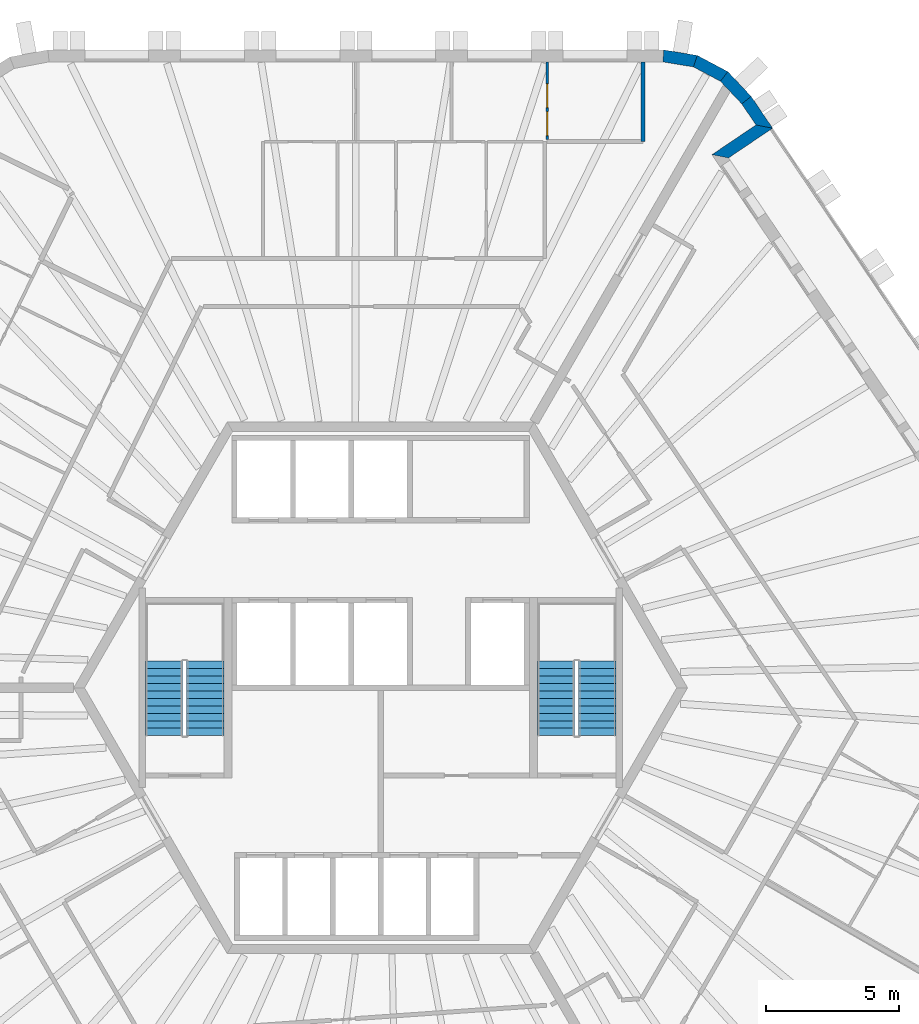
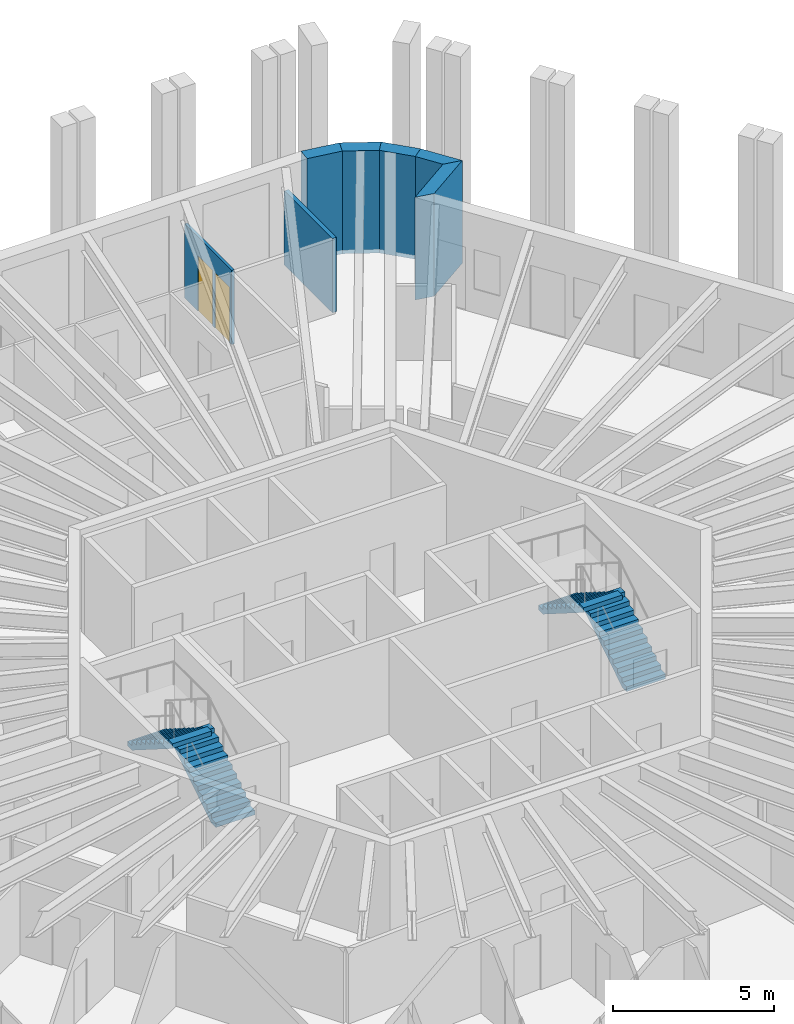
# One storey, part 10 of 12: 7 walls, 4 stair flights, 2 doors, 2 openings, 2 elements without a shape of their own.
"""IFC4 building model written with IfcOpenShell, lengths in metres."""

from ifc_helpers import new_model, si_unit, direction, frame, frame_2d, origin, place, context, subcontext, project, spatial, polyline, rectangle, outline, extrude, material, layer, layer_set, type_object, element, fill, aggregate, save


model = new_model("IFC4")

# Units and contexts
model_context = context("Model", 3, precision=1e-05, world=origin(), true_north=direction((0.0, 1.0)))
body_context = subcontext(model_context, "Body", "Model", "MODEL_VIEW")
ifc_project = project(units=[si_unit("LENGTHUNIT", "METRE"), si_unit("AREAUNIT", "SQUARE_METRE"), si_unit("VOLUMEUNIT", "CUBIC_METRE"), si_unit("PLANEANGLEUNIT", "RADIAN"), si_unit("MASSUNIT", "GRAM", prefix="KILO")], contexts=[model_context])

# Site, building, storey
site_placement = place(None, origin())
site = spatial("IfcSite", under=ifc_project, at=site_placement, CompositionType="ELEMENT")
building_placement = place(site_placement, origin())
building = spatial("IfcBuilding", under=site, at=building_placement, Name="Tarnside Tower", CompositionType="ELEMENT")
storey_placement = place(building_placement, frame((0.0, 0.0, 361.199951171875)))
storey = spatial("IfcBuildingStorey", under=building, at=storey_placement, Name="L87", CompositionType="ELEMENT", Elevation=361.199951171875)

# Walls
ifc_material_1 = material(Name="Gypsum board partition on steel studs", Category="steel")
ifc_layer_1 = layer(ifc_material_1, 0.14990234375)
ifc_layer_set_1 = layer_set([ifc_layer_1], Name="Corridor wall 150 EI 60")
wall_type_1 = type_object("IfcWallType", Name="Corridor wall 150 EI 60", PredefinedType="PARTITIONING", material=ifc_layer_set_1)
wall_1_placement = place(storey_placement, frame((9.868408203125, 23.550048828125, 0.0), z_axis=(0.0, 0.0, 1.0), x_axis=(0.0, -1.0, 0.0)))
element("IfcWall", 1, at=wall_1_placement, inside=storey, type_object=wall_type_1, Name="Corridor wall 28007", PredefinedType="PARTITIONING", context=body_context, shape_type="SweptSolid", body=[
    extrude(rectangle(XDim=2.998779296875, YDim=0.14990234375, at=frame_2d((1.49951171875, 0.0))), origin(), (0.0, 0.0, 1.0), 2.820068359375),
])
ifc_material_2 = material(Name="Dark zinc cladding")
ifc_layer_2 = layer(ifc_material_2, 0.10205078125)
ifc_material_3 = material(Name="Concrete C60/75 precast", Category="concrete")
ifc_layer_3 = layer(ifc_material_3, 0.248046875)
ifc_material_4 = material(Name="Mineral wool insulation")
ifc_layer_4 = layer(ifc_material_4, 0.10009765625)
ifc_layer_set_2 = layer_set([ifc_layer_2, ifc_layer_3, ifc_layer_4], Name="Loggia wall 450 zinc faced")
wall_type_2 = type_object("IfcWallType", Name="Loggia wall 450 zinc faced", PredefinedType="SOLIDWALL", material=ifc_layer_set_2)
wall_2_placement = place(storey_placement, frame((12.77685546875, 19.997802734375, -0.14990234375), z_axis=(0.0, 0.0, 1.0), x_axis=(0.829014217969, 0.559227526508, 0.0)))
element("IfcWall", 2, at=wall_2_placement, inside=storey, type_object=wall_type_2, Name="Tube wall L87 F6 return 31", PredefinedType="SOLIDWALL", context=body_context, shape_type="SweptSolid", body=[
    extrude(outline(polyline([(0.224853515625, -0.22509765625), (2.22509765625, -0.22509765625), (1.77490234375, 0.22509765625), (-0.224853515625, 0.22509765625), (0.224853515625, -0.22509765625)])), origin(), (0.0, 0.0, 1.0), 3.89990234375),
])
wall_3_placement = place(storey_placement, frame((14.434814453125, 21.1162109375, -0.14990234375), z_axis=(0.0, 0.0, 1.0), x_axis=(-0.559200218553, 0.829032638423, 0.0)))
element("IfcWall", 3, at=wall_3_placement, inside=storey, type_object=wall_type_2, Name="Tube wall L87 F6 stub 32", PredefinedType="SOLIDWALL", context=body_context, shape_type="SweptSolid", body=[
    extrude(outline(polyline([(-0.224853515625, -0.22509765625), (1.218017578125, -0.22509765625), (1.181396484375, 0.22509765625), (0.224853515625, 0.22509765625), (-0.224853515625, -0.22509765625)])), origin(), (0.0, 0.0, 1.0), 3.89990234375),
])

# Wall, openings, doors
ifc_layer_5 = layer(ifc_material_1, 0.10009765625)
ifc_layer_set_3 = layer_set([ifc_layer_5], Name="Partition 100")
wall_type_3 = type_object("IfcWallType", Name="Partition 100", PredefinedType="PARTITIONING", material=ifc_layer_set_3)
wall_4_placement = place(storey_placement, frame((6.268310546875, 23.550048828125, 0.0), z_axis=(0.0, 0.0, 1.0), x_axis=(0.0, -1.0, 0.0)))
wall_4 = element("IfcWall", 4, at=wall_4_placement, inside=storey, type_object=wall_type_3, Name="Partition wall 28084", PredefinedType="PARTITIONING", context=body_context, shape_type="SweptSolid", body=[
    extrude(rectangle(XDim=2.925048828125, YDim=0.10009765625, at=frame_2d((1.46240234375, 0.0))), origin(), (0.0, 0.0, 1.0), 2.820068359375),
])
opening_1_placement = place(wall_4_placement, frame((1.875, 0.0, 0.0)))
opening_1 = element("IfcOpeningElement", 5, at=opening_1_placement, cuts=wall_4, Name="Opening D-I1", PredefinedType="OPENING", context=body_context, shape_type="SweptSolid", body=[
    extrude(rectangle(XDim=0.89990234375, YDim=2.10009765625, at=frame_2d((0.449951171875, 1.050048828125))), frame((0.0, 0.06005859375, 0.0), z_axis=(0.0, -1.0, 0.0), x_axis=(1.0, 0.0, 0.0)), (0.0, 0.0, 1.0), 0.1201171875),
])
opening_2_placement = place(wall_4_placement, frame((0.824951171875, 0.0, 0.0)))
opening_2 = element("IfcOpeningElement", 6, at=opening_2_placement, cuts=wall_4, Name="Opening D-I1", PredefinedType="OPENING", context=body_context, shape_type="SweptSolid", body=[
    extrude(rectangle(XDim=0.89990234375, YDim=2.10009765625, at=frame_2d((0.449951171875, 1.050048828125))), frame((0.0, 0.06005859375, 0.0), z_axis=(0.0, -1.0, 0.0), x_axis=(1.0, 0.0, 0.0)), (0.0, 0.0, 1.0), 0.1201171875),
])
ifc_material_5 = material(Name="Timber door leaf", Category="wood")
door_type = type_object("IfcDoorType", Name="Internal door 900", OperationType="NOTDEFINED", PredefinedType="DOOR", material=ifc_material_5)
door_1_placement = place(opening_1_placement, origin())
door_1 = element("IfcDoor", 7, at=door_1_placement, inside=storey, type_object=door_type, Name="Internal door 28008", OperationType="SINGLE_SWING_RIGHT", OverallHeight=2.10009765625, OverallWidth=0.89990234375, PredefinedType="DOOR", context=body_context, shape_type="SweptSolid", body=[
    extrude(rectangle(XDim=0.89990234375, YDim=2.10009765625, at=frame_2d((0.449951171875, 1.050048828125))), frame((0.0, 0.02490234375, 0.0), z_axis=(0.0, -1.0, 0.0), x_axis=(1.0, 0.0, 0.0)), (0.0, 0.0, 1.0), 0.050048828125),
])
fill(opening_1, door_1)
door_2_placement = place(opening_2_placement, origin())
door_2 = element("IfcDoor", 8, at=door_2_placement, inside=storey, type_object=door_type, Name="Internal door 28011", OperationType="SINGLE_SWING_RIGHT", OverallHeight=2.10009765625, OverallWidth=0.89990234375, PredefinedType="DOOR", context=body_context, shape_type="SweptSolid", body=[
    extrude(rectangle(XDim=0.89990234375, YDim=2.10009765625, at=frame_2d((0.449951171875, 1.050048828125))), frame((0.0, 0.02490234375, 0.0), z_axis=(0.0, -1.0, 0.0), x_axis=(1.0, 0.0, 0.0)), (0.0, 0.0, 1.0), 0.050048828125),
])
fill(opening_2, door_2)

# Walls
ifc_material_6 = material(Name="Facing brick", Category="masonry")
ifc_layer_6 = layer(ifc_material_6, 0.10205078125)
ifc_layer_7 = layer(ifc_material_3, 0.248046875)
ifc_layer_8 = layer(ifc_material_4, 0.10009765625)
ifc_layer_set_4 = layer_set([ifc_layer_6, ifc_layer_7, ifc_layer_8], Name="Tube wall 450 brick faced")
wall_type_4 = type_object("IfcWallType", Name="Tube wall 450 brick faced", PredefinedType="SOLIDWALL", material=ifc_layer_set_4)
wall_5_placement = place(storey_placement, frame((13.763916015625, 22.11083984375, -0.14990234375), z_axis=(0.0, 0.0, 1.0), x_axis=(-0.686272176549, 0.727344828603, 0.0)))
element("IfcWall", 9, at=wall_5_placement, inside=storey, type_object=wall_type_4, Name="Tube wall L87 F6 chord 33", PredefinedType="SOLIDWALL", context=body_context, shape_type="SweptSolid", body=[
    extrude(outline(polyline([(-0.018310546875, -0.22509765625), (1.261474609375, -0.22509765625), (1.187744140625, 0.22509765625), (0.018310546875, 0.22509765625), (-0.018310546875, -0.22509765625)])), origin(), (0.0, 0.0, 1.0), 3.89990234375),
])
wall_6_placement = place(storey_placement, frame((12.923583984375, 23.00146484375, -0.14990234375), z_axis=(0.0, 0.0, 1.0), x_axis=(-0.882898771447, 0.469563370993, 0.0)))
element("IfcWall", 10, at=wall_6_placement, inside=storey, type_object=wall_type_4, Name="Tube wall L87 F6 chord 34", PredefinedType="SOLIDWALL", context=body_context, shape_type="SweptSolid", body=[
    extrude(outline(polyline([(-0.036865234375, -0.22509765625), (1.26123046875, -0.22509765625), (1.1875, 0.22509765625), (0.036865234375, 0.22509765625), (-0.036865234375, -0.22509765625)])), origin(), (0.0, 0.0, 1.0), 3.89990234375),
])
wall_7_placement = place(storey_placement, frame((11.842529296875, 23.576416015625, -0.14990234375), z_axis=(0.0, 0.0, 1.0), x_axis=(-0.986773862881, 0.162102879475, 0.0)))
element("IfcWall", 11, at=wall_7_placement, inside=storey, type_object=wall_type_4, Name="Tube wall L87 F6 chord 35", PredefinedType="SOLIDWALL", context=body_context, shape_type="SweptSolid", body=[
    extrude(outline(polyline([(-0.036865234375, -0.22509765625), (1.24267578125, -0.22509765625), (1.2060546875, 0.22509765625), (0.036865234375, 0.22509765625), (-0.036865234375, -0.22509765625)])), origin(), (0.0, 0.0, 1.0), 3.89990234375),
])

# Stair, stair flights
ifc_material_7 = material(Name="Concrete C40/50", Category="concrete")
stair_type = type_object("IfcStairType", Name="Exit stair 1400 clear", PredefinedType="HALF_TURN_STAIR", material=ifc_material_7)
stair_1_placement = place(storey_placement, origin())
stair_1 = element("IfcStair", 12, at=stair_1_placement, inside=storey, type_object=stair_type, Name="L87 Exit stair 1", PredefinedType="HALF_TURN_STAIR")
stair_flight_type = type_object("IfcStairFlightType", Name="Exit stair flight 1400", PredefinedType="STRAIGHT", material=ifc_material_7)
stair_flight_1_placement = place(storey_placement, frame((8.14990234375, -1.800048828125, 0.0), z_axis=(0.0, 0.0, 1.0), x_axis=(0.0, 1.0, 0.0)))
stair_flight_1 = element("IfcStairFlight", 13, at=stair_flight_1_placement, type_object=stair_flight_type, Name="ST1 flight 1", NumberOfRisers=11, NumberOfTreads=10, PredefinedType="STRAIGHT", RiserHeight=0.177272727, TreadLength=0.28, context=body_context, shape_type="SweptSolid", body=[
    extrude(outline(polyline([(0.0, 0.0), (0.0, 0.17724609375), (0.280029296875, 0.17724609375), (0.280029296875, 0.3544921875), (0.56005859375, 0.3544921875), (0.56005859375, 0.53173828125), (0.840087890625, 0.53173828125), (0.840087890625, 0.708984375), (1.1201171875, 0.708984375), (1.1201171875, 0.886474609375), (1.39990234375, 0.886474609375), (1.39990234375, 1.063720703125), (1.679931640625, 1.063720703125), (1.679931640625, 1.240966796875), (1.9599609375, 1.240966796875), (1.9599609375, 1.418212890625), (2.239990234375, 1.418212890625), (2.239990234375, 1.595458984375), (2.52001953125, 1.595458984375), (2.52001953125, 1.772705078125), (2.800048828125, 1.772705078125), (2.800048828125, 1.949951171875), (2.800048828125, 1.59521484375), (0.2802734375, 0.0), (0.0, 0.0)])), frame((0.0, 0.699951171875, 0.0), z_axis=(0.0, -1.0, 0.0), x_axis=(1.0, 0.0, 0.0)), (0.0, 0.0, 1.0), 1.39990234375),
])
stair_flight_2_placement = place(storey_placement, frame((6.60009765625, 1.0, 1.949951171875), z_axis=(0.0, 0.0, 1.0), x_axis=(0.0, -1.0, 0.0)))
stair_flight_2 = element("IfcStairFlight", 14, at=stair_flight_2_placement, type_object=stair_flight_type, Name="ST1 flight 2", NumberOfRisers=11, NumberOfTreads=10, PredefinedType="STRAIGHT", RiserHeight=0.177272727, TreadLength=0.28, context=body_context, shape_type="SweptSolid", body=[
    extrude(outline(polyline([(0.0, 0.0), (0.0, 0.17724609375), (0.280029296875, 0.17724609375), (0.280029296875, 0.3544921875), (0.56005859375, 0.3544921875), (0.56005859375, 0.53173828125), (0.840087890625, 0.53173828125), (0.840087890625, 0.708984375), (1.1201171875, 0.708984375), (1.1201171875, 0.886474609375), (1.39990234375, 0.886474609375), (1.39990234375, 1.063720703125), (1.679931640625, 1.063720703125), (1.679931640625, 1.240966796875), (1.9599609375, 1.240966796875), (1.9599609375, 1.418212890625), (2.239990234375, 1.418212890625), (2.239990234375, 1.595458984375), (2.52001953125, 1.595458984375), (2.52001953125, 1.772705078125), (2.800048828125, 1.772705078125), (2.800048828125, 1.949951171875), (2.800048828125, 1.59521484375), (0.2802734375, 0.0), (0.0, 0.0)])), frame((0.0, 0.699951171875, 0.0), z_axis=(0.0, -1.0, 0.0), x_axis=(1.0, 0.0, 0.0)), (0.0, 0.0, 1.0), 1.39990234375),
])
aggregate(stair_1, [stair_flight_1, stair_flight_2])

stair_2_placement = place(storey_placement, origin())
stair_2 = element("IfcStair", 15, at=stair_2_placement, inside=storey, type_object=stair_type, Name="L87 Exit stair 2", PredefinedType="HALF_TURN_STAIR")
stair_flight_3_placement = place(storey_placement, frame((-6.60009765625, -1.800048828125, 0.0), z_axis=(0.0, 0.0, 1.0), x_axis=(0.0, 1.0, 0.0)))
stair_flight_3 = element("IfcStairFlight", 16, at=stair_flight_3_placement, type_object=stair_flight_type, Name="ST2 flight 1", NumberOfRisers=11, NumberOfTreads=10, PredefinedType="STRAIGHT", RiserHeight=0.177272727, TreadLength=0.28, context=body_context, shape_type="SweptSolid", body=[
    extrude(outline(polyline([(0.0, 0.0), (0.0, 0.17724609375), (0.280029296875, 0.17724609375), (0.280029296875, 0.3544921875), (0.56005859375, 0.3544921875), (0.56005859375, 0.53173828125), (0.840087890625, 0.53173828125), (0.840087890625, 0.708984375), (1.1201171875, 0.708984375), (1.1201171875, 0.886474609375), (1.39990234375, 0.886474609375), (1.39990234375, 1.063720703125), (1.679931640625, 1.063720703125), (1.679931640625, 1.240966796875), (1.9599609375, 1.240966796875), (1.9599609375, 1.418212890625), (2.239990234375, 1.418212890625), (2.239990234375, 1.595458984375), (2.52001953125, 1.595458984375), (2.52001953125, 1.772705078125), (2.800048828125, 1.772705078125), (2.800048828125, 1.949951171875), (2.800048828125, 1.59521484375), (0.2802734375, 0.0), (0.0, 0.0)])), frame((0.0, 0.699951171875, 0.0), z_axis=(0.0, -1.0, 0.0), x_axis=(1.0, 0.0, 0.0)), (0.0, 0.0, 1.0), 1.39990234375),
])
stair_flight_4_placement = place(storey_placement, frame((-8.14990234375, 1.0, 1.949951171875), z_axis=(0.0, 0.0, 1.0), x_axis=(0.0, -1.0, 0.0)))
stair_flight_4 = element("IfcStairFlight", 17, at=stair_flight_4_placement, type_object=stair_flight_type, Name="ST2 flight 2", NumberOfRisers=11, NumberOfTreads=10, PredefinedType="STRAIGHT", RiserHeight=0.177272727, TreadLength=0.28, context=body_context, shape_type="SweptSolid", body=[
    extrude(outline(polyline([(0.0, 0.0), (0.0, 0.17724609375), (0.280029296875, 0.17724609375), (0.280029296875, 0.3544921875), (0.56005859375, 0.3544921875), (0.56005859375, 0.53173828125), (0.840087890625, 0.53173828125), (0.840087890625, 0.708984375), (1.1201171875, 0.708984375), (1.1201171875, 0.886474609375), (1.39990234375, 0.886474609375), (1.39990234375, 1.063720703125), (1.679931640625, 1.063720703125), (1.679931640625, 1.240966796875), (1.9599609375, 1.240966796875), (1.9599609375, 1.418212890625), (2.239990234375, 1.418212890625), (2.239990234375, 1.595458984375), (2.52001953125, 1.595458984375), (2.52001953125, 1.772705078125), (2.800048828125, 1.772705078125), (2.800048828125, 1.949951171875), (2.800048828125, 1.59521484375), (0.2802734375, 0.0), (0.0, 0.0)])), frame((0.0, 0.699951171875, 0.0), z_axis=(0.0, -1.0, 0.0), x_axis=(1.0, 0.0, 0.0)), (0.0, 0.0, 1.0), 1.39990234375),
])
aggregate(stair_2, [stair_flight_3, stair_flight_4])

save(model, "model.ifc")
